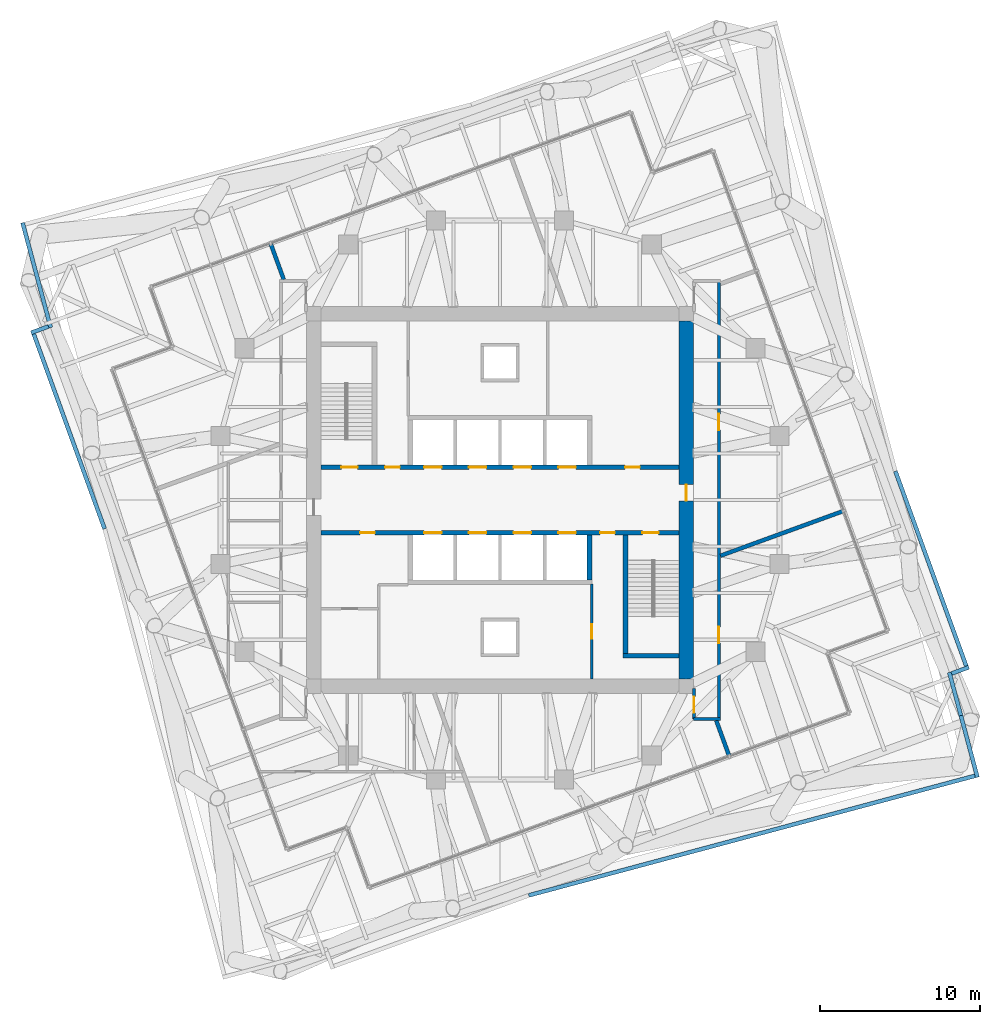
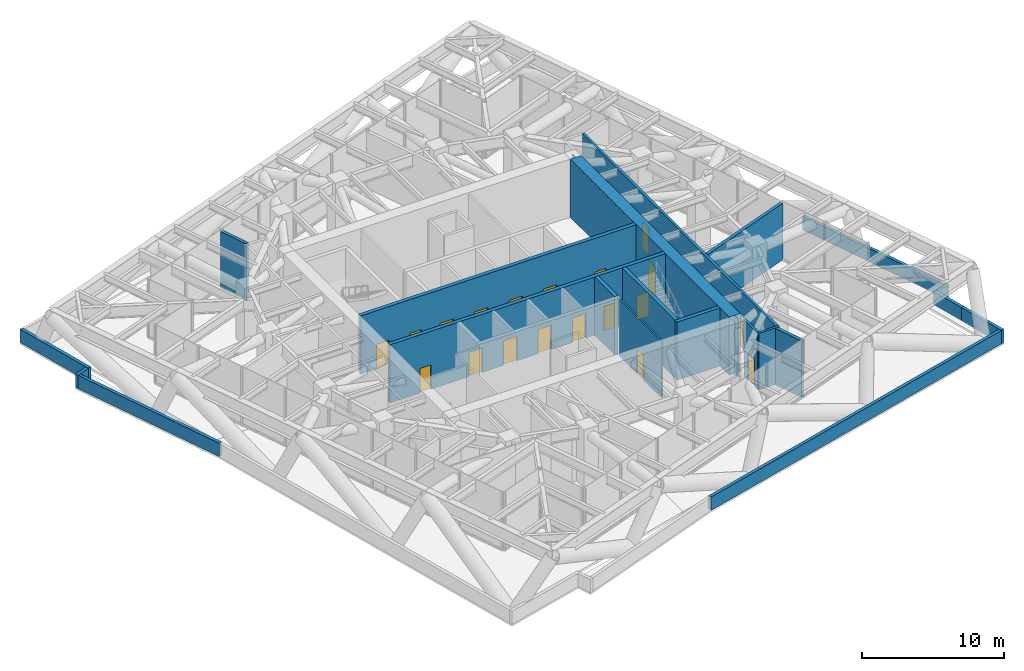
# One storey, part 9 of 12: 21 walls, 19 doors, 19 openings.
"""IFC4 building model written with IfcOpenShell, lengths in metres."""

from ifc_helpers import new_model, si_unit, direction, frame, frame_2d, origin, place, context, subcontext, project, spatial, polyline, rectangle, outline, extrude, material, layer, layer_set, type_object, element, fill, save


model = new_model("IFC4")

# Units and contexts
model_context = context("Model", 3, precision=1e-05, world=origin(), true_north=direction((0.0, 1.0)))
body_context = subcontext(model_context, "Body", "Model", "MODEL_VIEW")
ifc_project = project(units=[si_unit("LENGTHUNIT", "METRE"), si_unit("AREAUNIT", "SQUARE_METRE"), si_unit("VOLUMEUNIT", "CUBIC_METRE"), si_unit("PLANEANGLEUNIT", "RADIAN"), si_unit("MASSUNIT", "GRAM", prefix="KILO")], contexts=[model_context])

# Site, building, storey
site_placement = place(None, origin())
site = spatial("IfcSite", under=ifc_project, at=site_placement, CompositionType="ELEMENT")
building_placement = place(site_placement, origin())
building = spatial("IfcBuilding", under=site, at=building_placement, Name="Torsade Residences", CompositionType="ELEMENT")
storey_placement = place(building_placement, frame((0.0, 0.0, 138.800048828125)))
storey = spatial("IfcBuildingStorey", under=building, at=storey_placement, Name="L38", CompositionType="ELEMENT", Elevation=138.800048828125)

# Wall, openings, doors
ifc_material_1 = material(Name="Concrete 80 MPa", Category="concrete")
ifc_layer_1 = layer(ifc_material_1, 0.300048828125)
ifc_layer_set_1 = layer_set([ifc_layer_1], Name="Concrete 80 MPa")
wall_type_1 = type_object("IfcWallType", Name="CORE INTERNAL WALL 300", PredefinedType="SHEAR", material=ifc_layer_set_1)
wall_1_placement = place(storey_placement, frame((28.800048828125, 32.050048828125, 0.0), z_axis=(0.0, 0.0, 1.0), x_axis=(1.0, 0.0, 0.0)))
wall_1 = element("IfcWall", 1, at=wall_1_placement, inside=storey, type_object=wall_type_1, Name="Core wall LN L38", PredefinedType="SHEAR", context=body_context, shape_type="SweptSolid", body=[
    extrude(rectangle(XDim=22.39990234375, YDim=0.300048828125, at=frame_2d((11.199951171875, 0.0))), origin(), (0.0, 0.0, 1.0), 5.0),
])
opening_1_placement = place(wall_1_placement, frame((19.0400390625, 0.0, 0.0)))
opening_1 = element("IfcOpeningElement", 2, at=opening_1_placement, cuts=wall_1, Name="Opening D06", PredefinedType="OPENING", context=body_context, shape_type="SweptSolid", body=[
    extrude(rectangle(XDim=0.919921875, YDim=2.10009765625, at=frame_2d((0.4599609375, 1.050048828125))), frame((0.0, 0.159912109375, 0.0), z_axis=(0.0, -1.0, 0.0), x_axis=(1.0, 0.0, 0.0)), (0.0, 0.0, 1.0), 0.320068359375),
])
opening_2_placement = place(wall_1_placement, frame((1.264892578125, 0.0, 0.0)))
opening_2 = element("IfcOpeningElement", 3, at=opening_2_placement, cuts=wall_1, Name="Opening D03", PredefinedType="OPENING", context=body_context, shape_type="SweptSolid", body=[
    extrude(rectangle(XDim=1.02001953125, YDim=2.10009765625, at=frame_2d((0.510009765625, 1.050048828125))), frame((0.0, 0.159912109375, 0.0), z_axis=(0.0, -1.0, 0.0), x_axis=(1.0, 0.0, 0.0)), (0.0, 0.0, 1.0), 0.320068359375),
])
opening_3_placement = place(wall_1_placement, frame((4.014892578125, 0.0, 0.0)))
opening_3 = element("IfcOpeningElement", 4, at=opening_3_placement, cuts=wall_1, Name="Opening D06", PredefinedType="OPENING", context=body_context, shape_type="SweptSolid", body=[
    extrude(rectangle(XDim=0.919921875, YDim=2.10009765625, at=frame_2d((0.4599609375, 1.050048828125))), frame((0.0, 0.159912109375, 0.0), z_axis=(0.0, -1.0, 0.0), x_axis=(1.0, 0.0, 0.0)), (0.0, 0.0, 1.0), 0.320068359375),
])
opening_4_placement = place(wall_1_placement, frame((6.449951171875, 0.0, 0.0)))
opening_4 = element("IfcOpeningElement", 5, at=opening_4_placement, cuts=wall_1, Name="Opening LD", PredefinedType="OPENING", context=body_context, shape_type="SweptSolid", body=[
    extrude(rectangle(XDim=1.10009765625, YDim=2.10009765625, at=frame_2d((0.550048828125, 1.050048828125))), frame((0.0, 0.159912109375, 0.0), z_axis=(0.0, -1.0, 0.0), x_axis=(1.0, 0.0, 0.0)), (0.0, 0.0, 1.0), 0.320068359375),
])
opening_5_placement = place(wall_1_placement, frame((9.25, 0.0, 0.0)))
opening_5 = element("IfcOpeningElement", 6, at=opening_5_placement, cuts=wall_1, Name="Opening LD", PredefinedType="OPENING", context=body_context, shape_type="SweptSolid", body=[
    extrude(rectangle(XDim=1.10009765625, YDim=2.10009765625, at=frame_2d((0.550048828125, 1.050048828125))), frame((0.0, 0.159912109375, 0.0), z_axis=(0.0, -1.0, 0.0), x_axis=(1.0, 0.0, 0.0)), (0.0, 0.0, 1.0), 0.320068359375),
])
opening_6_placement = place(wall_1_placement, frame((12.050048828125, 0.0, 0.0)))
opening_6 = element("IfcOpeningElement", 7, at=opening_6_placement, cuts=wall_1, Name="Opening LD", PredefinedType="OPENING", context=body_context, shape_type="SweptSolid", body=[
    extrude(rectangle(XDim=1.10009765625, YDim=2.10009765625, at=frame_2d((0.550048828125, 1.050048828125))), frame((0.0, 0.159912109375, 0.0), z_axis=(0.0, -1.0, 0.0), x_axis=(1.0, 0.0, 0.0)), (0.0, 0.0, 1.0), 0.320068359375),
])
opening_7_placement = place(wall_1_placement, frame((14.85009765625, 0.0, 0.0)))
opening_7 = element("IfcOpeningElement", 8, at=opening_7_placement, cuts=wall_1, Name="Opening LD", PredefinedType="OPENING", context=body_context, shape_type="SweptSolid", body=[
    extrude(rectangle(XDim=1.10009765625, YDim=2.10009765625, at=frame_2d((0.550048828125, 1.050048828125))), frame((0.0, 0.159912109375, 0.0), z_axis=(0.0, -1.0, 0.0), x_axis=(1.0, 0.0, 0.0)), (0.0, 0.0, 1.0), 0.320068359375),
])
ifc_material_2 = material(Name="Steel-framed fire door", Category="steel")
door_type_1 = type_object("IfcDoorType", Name="FIRE DOOR 1020", OperationType="NOTDEFINED", PredefinedType="DOOR", material=ifc_material_2)
door_1_placement = place(opening_2_placement, origin())
door_1 = element("IfcDoor", 9, at=door_1_placement, inside=storey, type_object=door_type_1, Name="Exit door to fire-isolated stair ST1 L38", OperationType="SINGLE_SWING_RIGHT", OverallHeight=2.10009765625, OverallWidth=1.02001953125, PredefinedType="DOOR", context=body_context, shape_type="SweptSolid", body=[
    extrude(rectangle(XDim=1.02001953125, YDim=2.10009765625, at=frame_2d((0.510009765625, 1.050048828125))), frame((0.0, 0.02490234375, 0.0), z_axis=(0.0, -1.0, 0.0), x_axis=(1.0, 0.0, 0.0)), (0.0, 0.0, 1.0), 0.050048828125),
])
fill(opening_2, door_1)
ifc_material_3 = material(Name="Steel-framed fire door", Category="steel")
door_type_2 = type_object("IfcDoorType", Name="FIRE DOOR 920", OperationType="NOTDEFINED", PredefinedType="DOOR", material=ifc_material_3)
door_2_placement = place(opening_1_placement, origin())
door_2 = element("IfcDoor", 10, at=door_2_placement, inside=storey, type_object=door_type_2, Name="Door Sky lobby to Refuse room", OperationType="SINGLE_SWING_LEFT", OverallHeight=2.10009765625, OverallWidth=0.919921875, PredefinedType="DOOR", context=body_context, shape_type="SweptSolid", body=[
    extrude(rectangle(XDim=0.919921875, YDim=2.10009765625, at=frame_2d((0.4599609375, 1.050048828125))), frame((0.0, 0.02490234375, 0.0), z_axis=(0.0, -1.0, 0.0), x_axis=(1.0, 0.0, 0.0)), (0.0, 0.0, 1.0), 0.050048828125),
])
fill(opening_1, door_2)
door_3_placement = place(opening_3_placement, origin())
door_3 = element("IfcDoor", 11, at=door_3_placement, inside=storey, type_object=door_type_2, Name="Door Sky lobby to Main switchboard store", OperationType="SINGLE_SWING_LEFT", OverallHeight=2.10009765625, OverallWidth=0.919921875, PredefinedType="DOOR", context=body_context, shape_type="SweptSolid", body=[
    extrude(rectangle(XDim=0.919921875, YDim=2.10009765625, at=frame_2d((0.4599609375, 1.050048828125))), frame((0.0, 0.02490234375, 0.0), z_axis=(0.0, -1.0, 0.0), x_axis=(1.0, 0.0, 0.0)), (0.0, 0.0, 1.0), 0.050048828125),
])
fill(opening_3, door_3)
ifc_material_4 = material(Name="Stainless steel lift landing door", Category="steel")
door_type_3 = type_object("IfcDoorType", Name="LIFT LANDING DOOR 1100", OperationType="SLIDING_TO_LEFT", PredefinedType="DOOR", material=ifc_material_4)
door_4_placement = place(opening_4_placement, origin())
door_4 = element("IfcDoor", 12, at=door_4_placement, inside=storey, type_object=door_type_3, Name="Lift LA1 landing door L38", OperationType="SLIDING_TO_LEFT", OverallHeight=2.10009765625, OverallWidth=1.10009765625, PredefinedType="DOOR", context=body_context, shape_type="SweptSolid", body=[
    extrude(rectangle(XDim=1.10009765625, YDim=2.10009765625, at=frame_2d((0.550048828125, 1.050048828125))), frame((0.0, 0.02490234375, 0.0), z_axis=(0.0, -1.0, 0.0), x_axis=(1.0, 0.0, 0.0)), (0.0, 0.0, 1.0), 0.050048828125),
])
fill(opening_4, door_4)
door_5_placement = place(opening_5_placement, origin())
door_5 = element("IfcDoor", 13, at=door_5_placement, inside=storey, type_object=door_type_3, Name="Lift LA2 landing door L38", OperationType="SLIDING_TO_LEFT", OverallHeight=2.10009765625, OverallWidth=1.10009765625, PredefinedType="DOOR", context=body_context, shape_type="SweptSolid", body=[
    extrude(rectangle(XDim=1.10009765625, YDim=2.10009765625, at=frame_2d((0.550048828125, 1.050048828125))), frame((0.0, 0.02490234375, 0.0), z_axis=(0.0, -1.0, 0.0), x_axis=(1.0, 0.0, 0.0)), (0.0, 0.0, 1.0), 0.050048828125),
])
fill(opening_5, door_5)
door_6_placement = place(opening_6_placement, origin())
door_6 = element("IfcDoor", 14, at=door_6_placement, inside=storey, type_object=door_type_3, Name="Lift LA3 landing door L38", OperationType="SLIDING_TO_LEFT", OverallHeight=2.10009765625, OverallWidth=1.10009765625, PredefinedType="DOOR", context=body_context, shape_type="SweptSolid", body=[
    extrude(rectangle(XDim=1.10009765625, YDim=2.10009765625, at=frame_2d((0.550048828125, 1.050048828125))), frame((0.0, 0.02490234375, 0.0), z_axis=(0.0, -1.0, 0.0), x_axis=(1.0, 0.0, 0.0)), (0.0, 0.0, 1.0), 0.050048828125),
])
fill(opening_6, door_6)
door_7_placement = place(opening_7_placement, origin())
door_7 = element("IfcDoor", 15, at=door_7_placement, inside=storey, type_object=door_type_3, Name="Lift FL1 landing door L38", OperationType="SLIDING_TO_LEFT", OverallHeight=2.10009765625, OverallWidth=1.10009765625, PredefinedType="DOOR", context=body_context, shape_type="SweptSolid", body=[
    extrude(rectangle(XDim=1.10009765625, YDim=2.10009765625, at=frame_2d((0.550048828125, 1.050048828125))), frame((0.0, 0.02490234375, 0.0), z_axis=(0.0, -1.0, 0.0), x_axis=(1.0, 0.0, 0.0)), (0.0, 0.0, 1.0), 0.050048828125),
])
fill(opening_7, door_7)

wall_2_placement = place(storey_placement, frame((51.199951171875, 27.949951171875, 0.0), z_axis=(0.0, 0.0, 1.0), x_axis=(-1.0, 0.0, 0.0)))
wall_2 = element("IfcWall", 16, at=wall_2_placement, inside=storey, type_object=wall_type_1, Name="Core wall LS L38", PredefinedType="SHEAR", context=body_context, shape_type="SweptSolid", body=[
    extrude(rectangle(XDim=22.39990234375, YDim=0.300048828125, at=frame_2d((11.199951171875, 0.0))), origin(), (0.0, 0.0, 1.0), 5.0),
])
opening_8_placement = place(wall_2_placement, frame((19.0400390625, 0.0, 0.0)))
opening_8 = element("IfcOpeningElement", 17, at=opening_8_placement, cuts=wall_2, Name="Opening D06", PredefinedType="OPENING", context=body_context, shape_type="SweptSolid", body=[
    extrude(rectangle(XDim=0.919921875, YDim=2.10009765625, at=frame_2d((0.4599609375, 1.050048828125))), frame((0.0, 0.159912109375, 0.0), z_axis=(0.0, -1.0, 0.0), x_axis=(1.0, 0.0, 0.0)), (0.0, 0.0, 1.0), 0.320068359375),
])
opening_9_placement = place(wall_2_placement, frame((1.264892578125, 0.0, 0.0)))
opening_9 = element("IfcOpeningElement", 18, at=opening_9_placement, cuts=wall_2, Name="Opening D03", PredefinedType="OPENING", context=body_context, shape_type="SweptSolid", body=[
    extrude(rectangle(XDim=1.02001953125, YDim=2.10009765625, at=frame_2d((0.510009765625, 1.050048828125))), frame((0.0, 0.159912109375, 0.0), z_axis=(0.0, -1.0, 0.0), x_axis=(1.0, 0.0, 0.0)), (0.0, 0.0, 1.0), 0.320068359375),
])
opening_10_placement = place(wall_2_placement, frame((4.014892578125, 0.0, 0.0)))
opening_10 = element("IfcOpeningElement", 19, at=opening_10_placement, cuts=wall_2, Name="Opening D06", PredefinedType="OPENING", context=body_context, shape_type="SweptSolid", body=[
    extrude(rectangle(XDim=0.919921875, YDim=2.10009765625, at=frame_2d((0.4599609375, 1.050048828125))), frame((0.0, 0.159912109375, 0.0), z_axis=(0.0, -1.0, 0.0), x_axis=(1.0, 0.0, 0.0)), (0.0, 0.0, 1.0), 0.320068359375),
])
opening_11_placement = place(wall_2_placement, frame((6.449951171875, 0.0, 0.0)))
opening_11 = element("IfcOpeningElement", 20, at=opening_11_placement, cuts=wall_2, Name="Opening LD", PredefinedType="OPENING", context=body_context, shape_type="SweptSolid", body=[
    extrude(rectangle(XDim=1.10009765625, YDim=2.10009765625, at=frame_2d((0.550048828125, 1.050048828125))), frame((0.0, 0.159912109375, 0.0), z_axis=(0.0, -1.0, 0.0), x_axis=(1.0, 0.0, 0.0)), (0.0, 0.0, 1.0), 0.320068359375),
])
opening_12_placement = place(wall_2_placement, frame((9.25, 0.0, 0.0)))
opening_12 = element("IfcOpeningElement", 21, at=opening_12_placement, cuts=wall_2, Name="Opening LD", PredefinedType="OPENING", context=body_context, shape_type="SweptSolid", body=[
    extrude(rectangle(XDim=1.10009765625, YDim=2.10009765625, at=frame_2d((0.550048828125, 1.050048828125))), frame((0.0, 0.159912109375, 0.0), z_axis=(0.0, -1.0, 0.0), x_axis=(1.0, 0.0, 0.0)), (0.0, 0.0, 1.0), 0.320068359375),
])
opening_13_placement = place(wall_2_placement, frame((12.050048828125, 0.0, 0.0)))
opening_13 = element("IfcOpeningElement", 22, at=opening_13_placement, cuts=wall_2, Name="Opening LD", PredefinedType="OPENING", context=body_context, shape_type="SweptSolid", body=[
    extrude(rectangle(XDim=1.10009765625, YDim=2.10009765625, at=frame_2d((0.550048828125, 1.050048828125))), frame((0.0, 0.159912109375, 0.0), z_axis=(0.0, -1.0, 0.0), x_axis=(1.0, 0.0, 0.0)), (0.0, 0.0, 1.0), 0.320068359375),
])
opening_14_placement = place(wall_2_placement, frame((14.85009765625, 0.0, 0.0)))
opening_14 = element("IfcOpeningElement", 23, at=opening_14_placement, cuts=wall_2, Name="Opening LD", PredefinedType="OPENING", context=body_context, shape_type="SweptSolid", body=[
    extrude(rectangle(XDim=1.10009765625, YDim=2.10009765625, at=frame_2d((0.550048828125, 1.050048828125))), frame((0.0, 0.159912109375, 0.0), z_axis=(0.0, -1.0, 0.0), x_axis=(1.0, 0.0, 0.0)), (0.0, 0.0, 1.0), 0.320068359375),
])
door_8_placement = place(opening_9_placement, origin())
door_8 = element("IfcDoor", 24, at=door_8_placement, inside=storey, type_object=door_type_1, Name="Exit door to fire-isolated stair ST2 L38", OperationType="SINGLE_SWING_RIGHT", OverallHeight=2.10009765625, OverallWidth=1.02001953125, PredefinedType="DOOR", context=body_context, shape_type="SweptSolid", body=[
    extrude(rectangle(XDim=1.02001953125, YDim=2.10009765625, at=frame_2d((0.510009765625, 1.050048828125))), frame((0.0, 0.02490234375, 0.0), z_axis=(0.0, -1.0, 0.0), x_axis=(1.0, 0.0, 0.0)), (0.0, 0.0, 1.0), 0.050048828125),
])
fill(opening_9, door_8)
door_9_placement = place(opening_8_placement, origin())
door_9 = element("IfcDoor", 25, at=door_9_placement, inside=storey, type_object=door_type_2, Name="Door Sky lobby to Cleaner store", OperationType="SINGLE_SWING_LEFT", OverallHeight=2.10009765625, OverallWidth=0.919921875, PredefinedType="DOOR", context=body_context, shape_type="SweptSolid", body=[
    extrude(rectangle(XDim=0.919921875, YDim=2.10009765625, at=frame_2d((0.4599609375, 1.050048828125))), frame((0.0, 0.02490234375, 0.0), z_axis=(0.0, -1.0, 0.0), x_axis=(1.0, 0.0, 0.0)), (0.0, 0.0, 1.0), 0.050048828125),
])
fill(opening_8, door_9)
door_10_placement = place(opening_10_placement, origin())
door_10 = element("IfcDoor", 26, at=door_10_placement, inside=storey, type_object=door_type_2, Name="Door Sky lobby to Security and data store", OperationType="SINGLE_SWING_RIGHT", OverallHeight=2.10009765625, OverallWidth=0.919921875, PredefinedType="DOOR", context=body_context, shape_type="SweptSolid", body=[
    extrude(rectangle(XDim=0.919921875, YDim=2.10009765625, at=frame_2d((0.4599609375, 1.050048828125))), frame((0.0, 0.02490234375, 0.0), z_axis=(0.0, -1.0, 0.0), x_axis=(1.0, 0.0, 0.0)), (0.0, 0.0, 1.0), 0.050048828125),
])
fill(opening_10, door_10)
door_11_placement = place(opening_11_placement, origin())
door_11 = element("IfcDoor", 27, at=door_11_placement, inside=storey, type_object=door_type_3, Name="Lift LB1 landing door L38", OperationType="SLIDING_TO_LEFT", OverallHeight=2.10009765625, OverallWidth=1.10009765625, PredefinedType="DOOR", context=body_context, shape_type="SweptSolid", body=[
    extrude(rectangle(XDim=1.10009765625, YDim=2.10009765625, at=frame_2d((0.550048828125, 1.050048828125))), frame((0.0, 0.02490234375, 0.0), z_axis=(0.0, -1.0, 0.0), x_axis=(1.0, 0.0, 0.0)), (0.0, 0.0, 1.0), 0.050048828125),
])
fill(opening_11, door_11)
door_12_placement = place(opening_12_placement, origin())
door_12 = element("IfcDoor", 28, at=door_12_placement, inside=storey, type_object=door_type_3, Name="Lift LB2 landing door L38", OperationType="SLIDING_TO_LEFT", OverallHeight=2.10009765625, OverallWidth=1.10009765625, PredefinedType="DOOR", context=body_context, shape_type="SweptSolid", body=[
    extrude(rectangle(XDim=1.10009765625, YDim=2.10009765625, at=frame_2d((0.550048828125, 1.050048828125))), frame((0.0, 0.02490234375, 0.0), z_axis=(0.0, -1.0, 0.0), x_axis=(1.0, 0.0, 0.0)), (0.0, 0.0, 1.0), 0.050048828125),
])
fill(opening_12, door_12)
door_13_placement = place(opening_13_placement, origin())
door_13 = element("IfcDoor", 29, at=door_13_placement, inside=storey, type_object=door_type_3, Name="Lift LB3 landing door L38", OperationType="SLIDING_TO_LEFT", OverallHeight=2.10009765625, OverallWidth=1.10009765625, PredefinedType="DOOR", context=body_context, shape_type="SweptSolid", body=[
    extrude(rectangle(XDim=1.10009765625, YDim=2.10009765625, at=frame_2d((0.550048828125, 1.050048828125))), frame((0.0, 0.02490234375, 0.0), z_axis=(0.0, -1.0, 0.0), x_axis=(1.0, 0.0, 0.0)), (0.0, 0.0, 1.0), 0.050048828125),
])
fill(opening_13, door_13)
door_14_placement = place(opening_14_placement, origin())
door_14 = element("IfcDoor", 30, at=door_14_placement, inside=storey, type_object=door_type_3, Name="Lift FL2 landing door L38", OperationType="SLIDING_TO_LEFT", OverallHeight=2.10009765625, OverallWidth=1.10009765625, PredefinedType="DOOR", context=body_context, shape_type="SweptSolid", body=[
    extrude(rectangle(XDim=1.10009765625, YDim=2.10009765625, at=frame_2d((0.550048828125, 1.050048828125))), frame((0.0, 0.02490234375, 0.0), z_axis=(0.0, -1.0, 0.0), x_axis=(1.0, 0.0, 0.0)), (0.0, 0.0, 1.0), 0.050048828125),
])
fill(opening_14, door_14)

# Walls
wall_3_placement = place(storey_placement, frame((45.60009765625, 27.800048828125, 0.0), z_axis=(0.0, 0.0, 1.0), x_axis=(0.0, -1.0, 0.0)))
element("IfcWall", 31, at=wall_3_placement, inside=storey, type_object=wall_type_1, Name="Core wall DS0 L38", PredefinedType="SHEAR", context=body_context, shape_type="SweptSolid", body=[
    extrude(rectangle(XDim=2.800048828125, YDim=0.300048828125, at=frame_2d((1.39990234375, 0.0))), origin(), (0.0, 0.0, 1.0), 5.0),
])
wall_4_placement = place(storey_placement, frame((47.85009765625, 27.800048828125, 0.0), z_axis=(0.0, 0.0, 1.0), x_axis=(0.0, -1.0, 0.0)))
element("IfcWall", 32, at=wall_4_placement, inside=storey, type_object=wall_type_1, Name="Core wall ST2W L38", PredefinedType="SHEAR", context=body_context, shape_type="SweptSolid", body=[
    extrude(rectangle(XDim=7.699951171875, YDim=0.300048828125, at=frame_2d((3.85009765625, 0.0))), origin(), (0.0, 0.0, 1.0), 5.0),
])
wall_5_placement = place(storey_placement, frame((51.199951171875, 20.25, 0.0), z_axis=(0.0, 0.0, 1.0), x_axis=(-1.0, 0.0, 0.0)))
element("IfcWall", 33, at=wall_5_placement, inside=storey, type_object=wall_type_1, Name="Core wall ST2S L38", PredefinedType="SHEAR", context=body_context, shape_type="SweptSolid", body=[
    extrude(rectangle(XDim=3.5, YDim=0.300048828125, at=frame_2d((1.75, 0.0))), origin(), (0.0, 0.0, 1.0), 5.0),
])

# Wall, opening, door
ifc_material_5 = material(Name="Concrete 80 MPa", Category="concrete")
ifc_layer_2 = layer(ifc_material_5, 0.89990234375)
ifc_layer_set_2 = layer_set([ifc_layer_2], Name="Concrete 80 MPa")
wall_type_2 = type_object("IfcWallType", Name="CORE WALL 900", PredefinedType="SHEAR", material=ifc_layer_set_2)
wall_6_placement = place(storey_placement, frame((51.64990234375, 18.800048828125, 0.0), z_axis=(0.0, 0.0, 1.0), x_axis=(0.0, 1.0, 0.0)))
wall_6 = element("IfcWall", 34, at=wall_6_placement, inside=storey, type_object=wall_type_2, Name="Core wall E L38", PredefinedType="SHEAR", context=body_context, shape_type="SweptSolid", body=[
    extrude(outline(polyline([(0.0, -0.449951171875), (22.39990234375, -0.449951171875), (22.39990234375, -0.02490234375), (22.849853515625, -0.02490234375), (22.849853515625, 0.02490234375), (22.39990234375, 0.02490234375), (22.39990234375, 0.449951171875), (0.0, 0.449951171875), (0.0, 0.02490234375), (-0.449951171875, 0.02490234375), (-0.449951171875, -0.02490234375), (0.0, -0.02490234375), (0.0, -0.449951171875)])), origin(), (0.0, 0.0, 1.0), 5.0),
])
opening_15_placement = place(wall_6_placement, frame((11.139892578125, 0.0, 0.0)))
opening_15 = element("IfcOpeningElement", 35, at=opening_15_placement, cuts=wall_6, Name="Opening D04", PredefinedType="OPENING", context=body_context, shape_type="SweptSolid", body=[
    extrude(rectangle(XDim=1.02001953125, YDim=2.39990234375, at=frame_2d((0.510009765625, 1.199951171875))), frame((0.0, 0.4599609375, 0.0), z_axis=(0.0, -1.0, 0.0), x_axis=(1.0, 0.0, 0.0)), (0.0, 0.0, 1.0), 0.919921875),
])
ifc_material_6 = material(Name="Steel-framed fire door", Category="steel")
door_type_4 = type_object("IfcDoorType", Name="LOBBY SMOKE DOOR 1020x2400", OperationType="NOTDEFINED", PredefinedType="DOOR", material=ifc_material_6)
door_15_placement = place(opening_15_placement, origin())
door_15 = element("IfcDoor", 36, at=door_15_placement, inside=storey, type_object=door_type_4, Name="Lift lobby door E L38", OperationType="SINGLE_SWING_LEFT", OverallHeight=2.39990234375, OverallWidth=1.02001953125, PredefinedType="DOOR", context=body_context, shape_type="SweptSolid", body=[
    extrude(rectangle(XDim=1.02001953125, YDim=2.39990234375, at=frame_2d((0.510009765625, 1.199951171875))), frame((0.0, 0.02490234375, 0.0), z_axis=(0.0, -1.0, 0.0), x_axis=(1.0, 0.0, 0.0)), (0.0, 0.0, 1.0), 0.050048828125),
])
fill(opening_15, door_15)

# Wall, openings, doors
ifc_material_7 = material(Name="Plasterboard on steel stud", Category="steel")
ifc_layer_3 = layer(ifc_material_7, 0.199951171875)
ifc_layer_set_3 = layer_set([ifc_layer_3], Name="Plasterboard on steel stud")
wall_type_3 = type_object("IfcWallType", Name="CORRIDOR WALL 200", PredefinedType="PARTITIONING", material=ifc_layer_set_3)
wall_7_placement = place(storey_placement, frame((53.699951171875, 16.300048828125, 0.0), z_axis=(0.0, 0.0, 1.0), x_axis=(0.0, 1.0, 0.0)))
wall_7 = element("IfcWall", 37, at=wall_7_placement, inside=storey, type_object=wall_type_3, Name="Corridor wall L38", PredefinedType="PARTITIONING", context=body_context, shape_type="SweptSolid", body=[
    extrude(rectangle(XDim=27.39990234375, YDim=0.199951171875, at=frame_2d((13.699951171875, 0.0))), origin(), (0.0, 0.0, 1.0), 4.849853515625),
])
opening_16_placement = place(wall_7_placement, frame((18.0751953125, 0.0, 0.0)))
opening_16 = element("IfcOpeningElement", 38, at=opening_16_placement, cuts=wall_7, Name="Opening D01", PredefinedType="OPENING", context=body_context, shape_type="SweptSolid", body=[
    extrude(rectangle(XDim=1.02001953125, YDim=2.340087890625, at=frame_2d((0.510009765625, 1.169921875))), frame((0.0, 0.10986328125, 0.0), z_axis=(0.0, -1.0, 0.0), x_axis=(1.0, 0.0, 0.0)), (0.0, 0.0, 1.0), 0.219970703125),
])
opening_17_placement = place(wall_7_placement, frame((4.7412109375, 0.0, 0.0)))
opening_17 = element("IfcOpeningElement", 39, at=opening_17_placement, cuts=wall_7, Name="Opening D01", PredefinedType="OPENING", context=body_context, shape_type="SweptSolid", body=[
    extrude(rectangle(XDim=1.02001953125, YDim=2.340087890625, at=frame_2d((0.510009765625, 1.169921875))), frame((0.0, 0.10986328125, 0.0), z_axis=(0.0, -1.0, 0.0), x_axis=(1.0, 0.0, 0.0)), (0.0, 0.0, 1.0), 0.219970703125),
])
ifc_material_8 = material(Name="Solid-core timber fire door", Category="wood")
door_type_5 = type_object("IfcDoorType", Name="APARTMENT ENTRY DOOR 1020x2340", OperationType="NOTDEFINED", PredefinedType="DOOR", material=ifc_material_8)
door_16_placement = place(opening_16_placement, origin())
door_16 = element("IfcDoor", 40, at=door_16_placement, inside=storey, type_object=door_type_5, Name="Door Residential corridor to Wellness room", OperationType="SINGLE_SWING_LEFT", OverallHeight=2.340087890625, OverallWidth=1.02001953125, PredefinedType="DOOR", context=body_context, shape_type="SweptSolid", body=[
    extrude(rectangle(XDim=1.02001953125, YDim=2.340087890625, at=frame_2d((0.510009765625, 1.169921875))), frame((0.0, 0.02490234375, 0.0), z_axis=(0.0, -1.0, 0.0), x_axis=(1.0, 0.0, 0.0)), (0.0, 0.0, 1.0), 0.050048828125),
])
fill(opening_16, door_16)
door_17_placement = place(opening_17_placement, origin())
door_17 = element("IfcDoor", 41, at=door_17_placement, inside=storey, type_object=door_type_5, Name="Door Residential corridor to Co-working room", OperationType="SINGLE_SWING_RIGHT", OverallHeight=2.340087890625, OverallWidth=1.02001953125, PredefinedType="DOOR", context=body_context, shape_type="SweptSolid", body=[
    extrude(rectangle(XDim=1.02001953125, YDim=2.340087890625, at=frame_2d((0.510009765625, 1.169921875))), frame((0.0, 0.02490234375, 0.0), z_axis=(0.0, -1.0, 0.0), x_axis=(1.0, 0.0, 0.0)), (0.0, 0.0, 1.0), 0.050048828125),
])
fill(opening_17, door_17)

# Wall
wall_8_placement = place(storey_placement, frame((52.10009765625, 16.300048828125, 0.0), z_axis=(0.0, 0.0, 1.0), x_axis=(1.0, 0.0, 0.0)))
element("IfcWall", 42, at=wall_8_placement, inside=storey, type_object=wall_type_3, Name="Corridor wall L38", PredefinedType="PARTITIONING", context=body_context, shape_type="SweptSolid", body=[
    extrude(rectangle(XDim=1.699951171875, YDim=0.199951171875, at=frame_2d((0.85009765625, 0.0))), origin(), (0.0, 0.0, 1.0), 4.849853515625),
])

# Wall, opening, door
wall_9_placement = place(storey_placement, frame((52.139892578125, 16.300048828125, 0.0), z_axis=(0.0, 0.0, 1.0), x_axis=(0.0, 1.0, 0.0)))
wall_9 = element("IfcWall", 43, at=wall_9_placement, inside=storey, type_object=wall_type_3, Name="Corridor wall L38", PredefinedType="PARTITIONING", context=body_context, shape_type="SweptSolid", body=[
    extrude(rectangle(XDim=1.89990234375, YDim=0.199951171875, at=frame_2d((0.949951171875, 0.0))), origin(), (0.0, 0.0, 1.0), 4.849853515625),
])
opening_18_placement = place(wall_9_placement, frame((0.3701171875, 0.0, 0.0)))
opening_18 = element("IfcOpeningElement", 44, at=opening_18_placement, cuts=wall_9, Name="Opening D01", PredefinedType="OPENING", context=body_context, shape_type="SweptSolid", body=[
    extrude(rectangle(XDim=1.02001953125, YDim=2.340087890625, at=frame_2d((0.510009765625, 1.169921875))), frame((0.0, 0.10986328125, 0.0), z_axis=(0.0, -1.0, 0.0), x_axis=(1.0, 0.0, 0.0)), (0.0, 0.0, 1.0), 0.219970703125),
])
door_18_placement = place(opening_18_placement, origin())
door_18 = element("IfcDoor", 45, at=door_18_placement, inside=storey, type_object=door_type_5, Name="Door Residential corridor to Meeting room", OperationType="SINGLE_SWING_RIGHT", OverallHeight=2.340087890625, OverallWidth=1.02001953125, PredefinedType="DOOR", context=body_context, shape_type="SweptSolid", body=[
    extrude(rectangle(XDim=1.02001953125, YDim=2.340087890625, at=frame_2d((0.510009765625, 1.169921875))), frame((0.0, 0.02490234375, 0.0), z_axis=(0.0, -1.0, 0.0), x_axis=(1.0, 0.0, 0.0)), (0.0, 0.0, 1.0), 0.050048828125),
])
fill(opening_18, door_18)

# Walls
ifc_material_9 = material(Name="Stone-faced precast concrete 40 MPa panel", Category="masonry")
ifc_layer_4 = layer(ifc_material_9, 0.25)
ifc_layer_set_4 = layer_set([ifc_layer_4], Name="Stone-faced precast concrete 40 MPa panel")
wall_type_4 = type_object("IfcWallType", Name="PARAPET WALL 250", PredefinedType="PARAPET", material=ifc_layer_set_4)
wall_10_placement = place(storey_placement, frame((41.800537109375, 5.24755859375, -0.050048828125), z_axis=(0.0, 0.0, 1.0), x_axis=(0.965925409669, 0.258820599944, 0.0)))
element("IfcWall", 46, at=wall_10_placement, inside=storey, type_object=wall_type_4, Name="Ledge parapet L38 3", PredefinedType="PARAPET", context=body_context, shape_type="SweptSolid", body=[
    extrude(rectangle(XDim=29.167236328125, YDim=0.25, at=frame_2d((14.58349609375, 0.0))), origin(), (0.0, 0.0, 1.0), 1.14990234375),
])
wall_11_placement = place(storey_placement, frame((69.885498046875, 12.6435546875, -0.050048828125), z_axis=(0.0, 0.0, 1.0), x_axis=(-0.258786931944, 0.965934430412, 0.0)))
element("IfcWall", 47, at=wall_11_placement, inside=storey, type_object=wall_type_4, Name="Ledge parapet L38 4", PredefinedType="PARAPET", context=body_context, shape_type="SweptSolid", body=[
    extrude(rectangle(XDim=4.0, YDim=0.25, at=frame_2d((2.0, 0.0))), origin(), (0.0, 0.0, 1.0), 1.14990234375),
])
wall_12_placement = place(storey_placement, frame((68.850341796875, 16.50732421875, -0.050048828125), z_axis=(0.0, 0.0, 1.0), x_axis=(-0.258896115959, 0.96590517192, 0.0)))
element("IfcWall", 48, at=wall_12_placement, inside=storey, type_object=wall_type_4, Name="Ledge parapet L38 5", PredefinedType="PARAPET", context=body_context, shape_type="SweptSolid", body=[
    extrude(rectangle(XDim=2.7958984375, YDim=0.25, at=frame_2d((1.39794921875, 0.0))), origin(), (0.0, 0.0, 1.0), 1.14990234375),
])
wall_13_placement = place(storey_placement, frame((68.263916015625, 19.13671875, -0.050048828125), z_axis=(0.0, 0.0, 1.0), x_axis=(0.939737919316, 0.341895660983, 0.0)))
element("IfcWall", 49, at=wall_13_placement, inside=storey, type_object=wall_type_4, Name="Ledge parapet L38 6", PredefinedType="PARAPET", context=body_context, shape_type="SweptSolid", body=[
    extrude(rectangle(XDim=1.156005859375, YDim=0.25, at=frame_2d((0.578125, 0.0))), origin(), (0.0, 0.0, 1.0), 1.14990234375),
])
wall_14_placement = place(storey_placement, frame((69.275634765625, 19.371826171875, -0.050048828125), z_axis=(0.0, 0.0, 1.0), x_axis=(-0.342020197341, 0.939692601126, 0.0)))
element("IfcWall", 50, at=wall_14_placement, inside=storey, type_object=wall_type_4, Name="Ledge parapet L38 7", PredefinedType="PARAPET", context=body_context, shape_type="SweptSolid", body=[
    extrude(rectangle(XDim=13.226318359375, YDim=0.25, at=frame_2d((6.61328125, 0.0))), origin(), (0.0, 0.0, 1.0), 1.14990234375),
])
wall_15_placement = place(storey_placement, frame((10.114501953125, 47.3564453125, -0.050048828125), z_axis=(0.0, 0.0, 1.0), x_axis=(0.258831852573, -0.965922394447, 0.0)))
element("IfcWall", 51, at=wall_15_placement, inside=storey, type_object=wall_type_4, Name="Ledge parapet L38 13", PredefinedType="PARAPET", context=body_context, shape_type="SweptSolid", body=[
    extrude(rectangle(XDim=6.796142578125, YDim=0.25, at=frame_2d((3.39794921875, 0.0))), origin(), (0.0, 0.0, 1.0), 1.14990234375),
])
wall_16_placement = place(storey_placement, frame((11.736083984375, 40.86328125, -0.050048828125), z_axis=(0.0, 0.0, 1.0), x_axis=(-0.939737919316, -0.341895660983, 0.0)))
element("IfcWall", 52, at=wall_16_placement, inside=storey, type_object=wall_type_4, Name="Ledge parapet L38 14", PredefinedType="PARAPET", context=body_context, shape_type="SweptSolid", body=[
    extrude(rectangle(XDim=1.156005859375, YDim=0.25, at=frame_2d((0.578125, 0.0))), origin(), (0.0, 0.0, 1.0), 1.14990234375),
])
wall_17_placement = place(storey_placement, frame((10.724365234375, 40.628173828125, -0.050048828125), z_axis=(0.0, 0.0, 1.0), x_axis=(0.342020197341, -0.939692601126, 0.0)))
element("IfcWall", 53, at=wall_17_placement, inside=storey, type_object=wall_type_4, Name="Ledge parapet L38 15", PredefinedType="PARAPET", context=body_context, shape_type="SweptSolid", body=[
    extrude(rectangle(XDim=13.226318359375, YDim=0.25, at=frame_2d((6.61328125, 0.0))), origin(), (0.0, 0.0, 1.0), 1.14990234375),
])
ifc_material_10 = material(Name="Masonry-lined stud party wall", Category="masonry")
ifc_layer_5 = layer(ifc_material_10, 0.25)
ifc_layer_set_5 = layer_set([ifc_layer_5], Name="Masonry-lined stud party wall")
wall_type_5 = type_object("IfcWallType", Name="PARTY WALL 250", PredefinedType="PARTITIONING", material=ifc_layer_set_5)
wall_18_placement = place(storey_placement, frame((54.35791015625, 13.9423828125, 0.0), z_axis=(0.0, 0.0, 1.0), x_axis=(-0.342021098348, 0.939692273186, 0.0)))
element("IfcWall", 54, at=wall_18_placement, inside=storey, type_object=wall_type_5, Name="Party wall L38", PredefinedType="PARTITIONING", context=body_context, shape_type="SweptSolid", body=[
    extrude(rectangle(XDim=2.39697265625, YDim=0.25, at=frame_2d((1.198486328125, 0.0))), origin(), (0.0, 0.0, 1.0), 4.849853515625),
])
wall_19_placement = place(storey_placement, frame((61.530029296875, 29.32275390625, 0.0), z_axis=(0.0, 0.0, 1.0), x_axis=(-0.939696268654, -0.342010120724, 0.0)))
element("IfcWall", 55, at=wall_19_placement, inside=storey, type_object=wall_type_5, Name="Party wall L38", PredefinedType="PARTITIONING", context=body_context, shape_type="SweptSolid", body=[
    extrude(rectangle(XDim=8.220703125, YDim=0.25, at=frame_2d((4.1103515625, 0.0))), origin(), (0.0, 0.0, 1.0), 4.849853515625),
])
wall_20_placement = place(storey_placement, frame((25.64208984375, 46.0576171875, 0.0), z_axis=(0.0, 0.0, 1.0), x_axis=(0.342021098348, -0.939692273186, 0.0)))
element("IfcWall", 56, at=wall_20_placement, inside=storey, type_object=wall_type_5, Name="Party wall L38", PredefinedType="PARTITIONING", context=body_context, shape_type="SweptSolid", body=[
    extrude(rectangle(XDim=2.39697265625, YDim=0.25, at=frame_2d((1.198486328125, 0.0))), origin(), (0.0, 0.0, 1.0), 4.849853515625),
])

# Wall, opening, door
ifc_material_11 = material(Name="Reinforced blockwork", Category="masonry")
ifc_layer_6 = layer(ifc_material_11, 0.14990234375)
ifc_layer_set_6 = layer_set([ifc_layer_6], Name="Reinforced blockwork")
wall_type_6 = type_object("IfcWallType", Name="SERVICE ROOM WALL 150", PredefinedType="SOLIDWALL", material=ifc_layer_set_6)
wall_21_placement = place(storey_placement, frame((45.75, 18.800048828125, 0.0), z_axis=(0.0, 0.0, 1.0), x_axis=(0.0, 1.0, 0.0)))
wall_21 = element("IfcWall", 57, at=wall_21_placement, inside=storey, type_object=wall_type_6, Name="Service room wall L38", PredefinedType="SOLIDWALL", context=body_context, shape_type="SweptSolid", body=[
    extrude(rectangle(XDim=5.949951171875, YDim=0.14990234375, at=frame_2d((2.97509765625, 0.0))), origin(), (0.0, 0.0, 1.0), 4.849853515625),
])
opening_19_placement = place(wall_21_placement, frame((2.514892578125, 0.0, 0.0)))
opening_19 = element("IfcOpeningElement", 58, at=opening_19_placement, cuts=wall_21, Name="Opening D06", PredefinedType="OPENING", context=body_context, shape_type="SweptSolid", body=[
    extrude(rectangle(XDim=0.919921875, YDim=2.10009765625, at=frame_2d((0.4599609375, 1.050048828125))), frame((0.0, 0.0849609375, 0.0), z_axis=(0.0, -1.0, 0.0), x_axis=(1.0, 0.0, 0.0)), (0.0, 0.0, 1.0), 0.169921875),
])
door_19_placement = place(opening_19_placement, origin())
door_19 = element("IfcDoor", 59, at=door_19_placement, inside=storey, type_object=door_type_2, Name="Door Security and data store to Communications riser room", OperationType="SINGLE_SWING_LEFT", OverallHeight=2.10009765625, OverallWidth=0.919921875, PredefinedType="DOOR", context=body_context, shape_type="SweptSolid", body=[
    extrude(rectangle(XDim=0.919921875, YDim=2.10009765625, at=frame_2d((0.4599609375, 1.050048828125))), frame((0.0, 0.02490234375, 0.0), z_axis=(0.0, -1.0, 0.0), x_axis=(1.0, 0.0, 0.0)), (0.0, 0.0, 1.0), 0.050048828125),
])
fill(opening_19, door_19)

save(model, "model.ifc")
